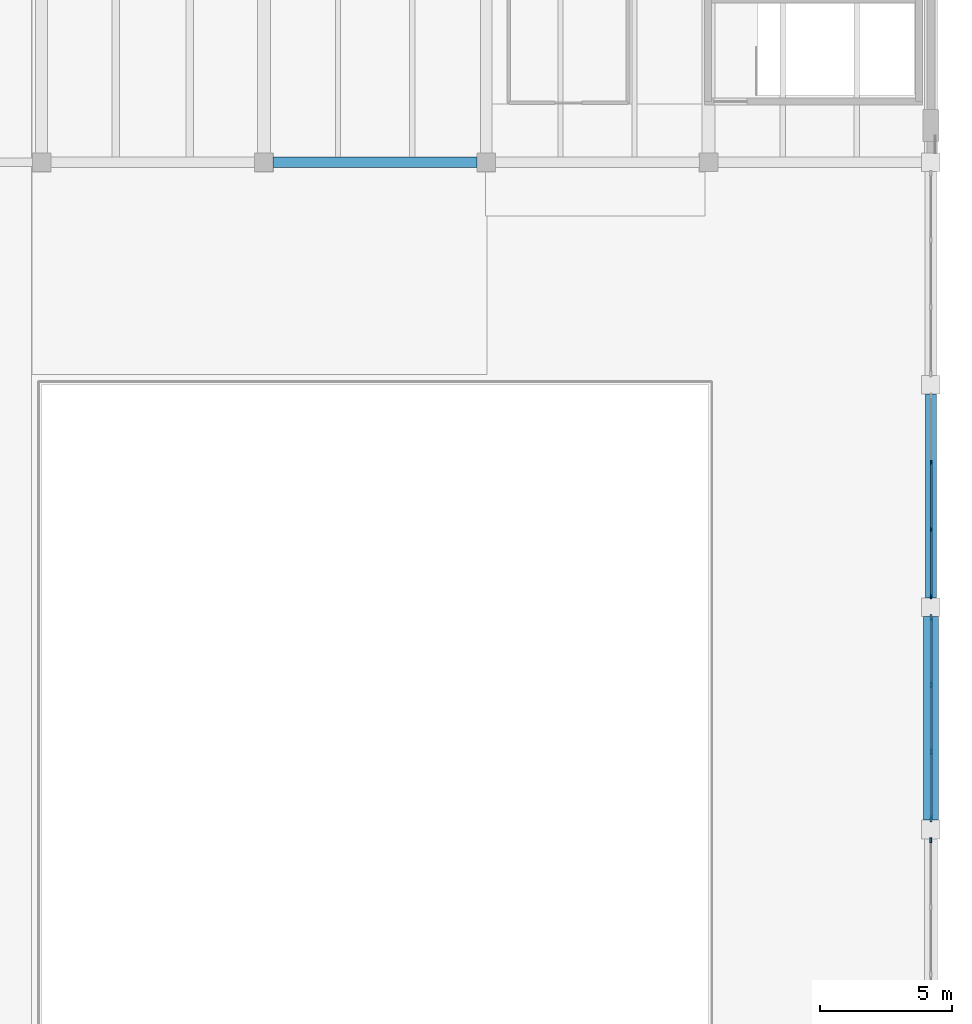
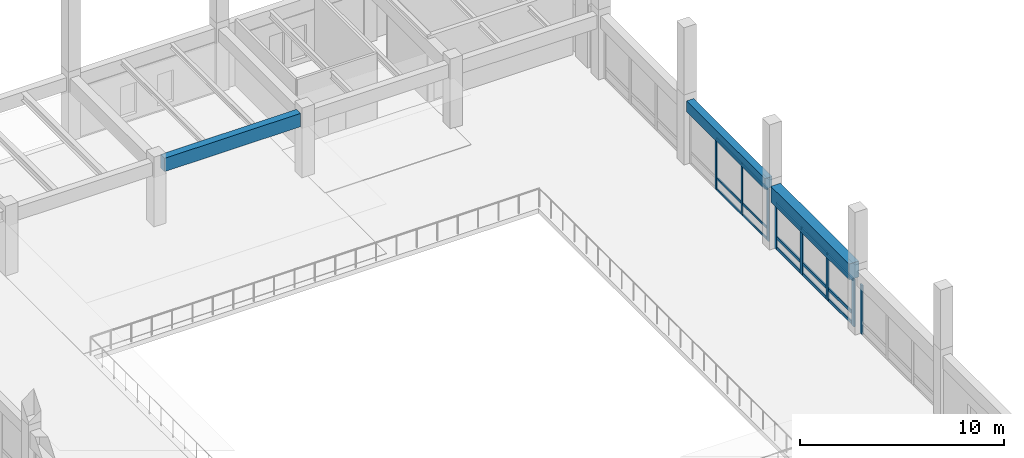
# One storey, part 55 of 132: 23 members, 3 beams, 3 elements without a shape of their own.
"""IFC4 building model written with IfcOpenShell, lengths in metres."""

from ifc_helpers import new_model, si_unit, direction, frame, origin, origin_2d, place, context, subcontext, project, spatial, rectangle, extrude, material, material_profile, profile_set, type_object, element, aggregate, save


model = new_model("IFC4")

# Units and contexts
model_context = context("Model", 3, precision=1e-05, world=origin(), true_north=direction((0.0, 1.0)))
body_context = subcontext(model_context, "Body", "Model", "MODEL_VIEW")
ifc_project = project(units=[si_unit("LENGTHUNIT", "METRE"), si_unit("AREAUNIT", "SQUARE_METRE"), si_unit("VOLUMEUNIT", "CUBIC_METRE"), si_unit("PLANEANGLEUNIT", "RADIAN"), si_unit("MASSUNIT", "GRAM", prefix="KILO")], contexts=[model_context])

# Site, building, storey
site_placement = place(None, origin())
site = spatial("IfcSite", under=ifc_project, at=site_placement, CompositionType="ELEMENT")
building_placement = place(site_placement, origin())
building = spatial("IfcBuilding", under=site, at=building_placement, Name="Cumbredor Promenade Congress Hotel", CompositionType="ELEMENT")
storey_placement = place(building_placement, frame((0.0, 0.0, 7.56005859375)))
storey = spatial("IfcBuildingStorey", under=building, at=storey_placement, Name="L02", CompositionType="ELEMENT", Elevation=7.56005859375)

# Beams
ifc_material_1 = material(Name="Concrete C40/50", Category="concrete")
ifc_material_profile_1 = material_profile(ifc_material_1, rectangle(XDim=0.39990234375, YDim=0.64990234375, at=origin_2d()), Name="RC BEAM 400x650")
ifc_profile_set_1 = profile_set([ifc_material_profile_1], Name="Concrete C40/50")
beam_type_1 = type_object("IfcBeamType", Name="BM-RC-400x650", PredefinedType="BEAM", material=ifc_profile_set_1)
beam_1_placement = place(storey_placement, frame((184.800048828125, 42.35009765625, 3.474853515625), z_axis=(0.0, 1.0, 0.0), x_axis=(-1.0, 0.0, 0.0)))
element("IfcBeam", 1, at=beam_1_placement, inside=storey, type_object=beam_type_1, Name="L03 Y-Grid Beam 256", PredefinedType="BEAM", context=body_context, shape_type="SweptSolid", body=[
    extrude(rectangle(XDim=0.39990234375, YDim=0.64990234375, at=origin_2d()), origin(), (0.0, 0.0, 1.0), 7.699951171875),
])
ifc_material_profile_2 = material_profile(ifc_material_1, rectangle(XDim=0.550048828125, YDim=0.949951171875, at=origin_2d()), Name="RC BEAM 550x950")
ifc_profile_set_2 = profile_set([ifc_material_profile_2], Name="Concrete C40/50")
beam_type_2 = type_object("IfcBeamType", Name="BM-RC-550x950", PredefinedType="BEAM", material=ifc_profile_set_2)
beam_2_placement = place(storey_placement, frame((184.800048828125, 33.949951171875, 3.324951171875), z_axis=(0.0, 1.0, 0.0), x_axis=(-1.0, 0.0, 0.0)))
element("IfcBeam", 2, at=beam_2_placement, inside=storey, type_object=beam_type_2, Name="L03 Y-Grid Beam 255", PredefinedType="BEAM", context=body_context, shape_type="SweptSolid", body=[
    extrude(rectangle(XDim=0.550048828125, YDim=0.949951171875, at=origin_2d()), origin(), (0.0, 0.0, 1.0), 7.699951171875),
])

# Curtain wall, members
ifc_material_2 = material(Name="Thermally broken anodized aluminium and low-E glass", Category="aluminium")
curtain_wall_type = type_object("IfcCurtainWallType", Name="Unitised Bronze Curtain Wall CW-01", PredefinedType="NOTDEFINED", material=ifc_material_2)
curtain_wall_1_placement = place(storey_placement, origin())
curtain_wall_1 = element("IfcCurtainWall", 3, at=curtain_wall_1_placement, inside=storey, type_object=curtain_wall_type, Name="L02 Grand Ballroom Pavilion East Curtain Wall 5", PredefinedType="NOTDEFINED")
ifc_material_3 = material(Name="Thermally broken anodized aluminium", Category="aluminium")
ifc_material_profile_3 = material_profile(ifc_material_3, rectangle(XDim=0.06494140625, YDim=0.159912109375, at=origin_2d()), Name="ALU MULLION 65x160")
ifc_profile_set_3 = profile_set([ifc_material_profile_3], Name="Thermally broken anodized aluminium")
member_type_1 = type_object("IfcMemberType", Name="Curtain Wall Mullion ML-01", PredefinedType="MULLION", material=ifc_profile_set_3)
member_1_placement = place(storey_placement, frame((184.800048828125, 42.405029296875, -0.008056640625), z_axis=(0.0, 0.0, 1.0), x_axis=(1.0, 0.0, 0.0)))
member_1 = element("IfcMember", 4, at=member_1_placement, type_object=member_type_1, Name="L02 Grand Ballroom Pavilion East Curtain Wall 5 Mullion 1", PredefinedType="MULLION", context=body_context, shape_type="SweptSolid", body=[
    extrude(rectangle(XDim=0.06494140625, YDim=0.159912109375, at=origin_2d()), origin(), (0.0, 0.0, 1.0), 3.15087890625),
])
member_2_placement = place(storey_placement, frame((184.800048828125, 44.93505859375, -0.008056640625), z_axis=(0.0, 0.0, 1.0), x_axis=(1.0, 0.0, 0.0)))
member_2 = element("IfcMember", 5, at=member_2_placement, type_object=member_type_1, Name="L02 Grand Ballroom Pavilion East Curtain Wall 5 Mullion 2", PredefinedType="MULLION", context=body_context, shape_type="SweptSolid", body=[
    extrude(rectangle(XDim=0.06494140625, YDim=0.159912109375, at=origin_2d()), origin(), (0.0, 0.0, 1.0), 3.15087890625),
])
member_3_placement = place(storey_placement, frame((184.800048828125, 47.465087890625, -0.008056640625), z_axis=(0.0, 0.0, 1.0), x_axis=(1.0, 0.0, 0.0)))
member_3 = element("IfcMember", 6, at=member_3_placement, type_object=member_type_1, Name="L02 Grand Ballroom Pavilion East Curtain Wall 5 Mullion 3", PredefinedType="MULLION", context=body_context, shape_type="SweptSolid", body=[
    extrude(rectangle(XDim=0.06494140625, YDim=0.159912109375, at=origin_2d()), origin(), (0.0, 0.0, 1.0), 3.15087890625),
])

# Curtain wall, member
curtain_wall_2_placement = place(storey_placement, origin())
curtain_wall_2 = element("IfcCurtainWall", 7, at=curtain_wall_2_placement, inside=storey, type_object=curtain_wall_type, Name="L02 Grand Ballroom Pavilion East Curtain Wall 3", PredefinedType="NOTDEFINED")
ifc_material_profile_4 = material_profile(ifc_material_3, rectangle(XDim=0.074951171875, YDim=0.199951171875, at=origin_2d()), Name="ALU MULLION 75x200")
ifc_profile_set_4 = profile_set([ifc_material_profile_4], Name="Thermally broken anodized aluminium")
member_type_2 = type_object("IfcMemberType", Name="Curtain Wall Mullion ML-02", PredefinedType="MULLION", material=ifc_profile_set_4)
member_4_placement = place(storey_placement, frame((184.800048828125, 33.195068359375, -0.008056640625), z_axis=(0.0, 0.0, 1.0), x_axis=(1.0, 0.0, 0.0)))
member_4 = element("IfcMember", 8, at=member_4_placement, type_object=member_type_2, Name="L02 Grand Ballroom Pavilion East Curtain Wall 3 Mullion 4", PredefinedType="MULLION", context=body_context, shape_type="SweptSolid", body=[
    extrude(rectangle(XDim=0.074951171875, YDim=0.199951171875, at=origin_2d()), origin(), (0.0, 0.0, 1.0), 2.950927734375),
])
aggregate(curtain_wall_2, [member_4])

# Curtain wall, members
curtain_wall_3_placement = place(storey_placement, origin())
curtain_wall_3 = element("IfcCurtainWall", 9, at=curtain_wall_3_placement, inside=storey, type_object=curtain_wall_type, Name="L02 Grand Ballroom Pavilion East Curtain Wall 4", PredefinedType="NOTDEFINED")
ifc_material_profile_5 = material_profile(ifc_material_3, rectangle(XDim=0.080078125, YDim=0.239990234375, at=origin_2d()), Name="ALU MULLION 80x240")
ifc_profile_set_5 = profile_set([ifc_material_profile_5], Name="Thermally broken anodized aluminium")
member_type_3 = type_object("IfcMemberType", Name="Curtain Wall Mullion ML-03", PredefinedType="MULLION", material=ifc_profile_set_5)
member_5_placement = place(storey_placement, frame((184.800048828125, 34.0048828125, -0.008056640625), z_axis=(0.0, 0.0, 1.0), x_axis=(1.0, 0.0, 0.0)))
member_5 = element("IfcMember", 10, at=member_5_placement, type_object=member_type_3, Name="L02 Grand Ballroom Pavilion East Curtain Wall 4 Mullion 1", PredefinedType="MULLION", context=body_context, shape_type="SweptSolid", body=[
    extrude(rectangle(XDim=0.080078125, YDim=0.239990234375, at=origin_2d()), origin(), (0.0, 0.0, 1.0), 2.85107421875),
])
member_6_placement = place(storey_placement, frame((184.800048828125, 36.534912109375, -0.008056640625), z_axis=(0.0, 0.0, 1.0), x_axis=(1.0, 0.0, 0.0)))
member_6 = element("IfcMember", 11, at=member_6_placement, type_object=member_type_3, Name="L02 Grand Ballroom Pavilion East Curtain Wall 4 Mullion 2", PredefinedType="MULLION", context=body_context, shape_type="SweptSolid", body=[
    extrude(rectangle(XDim=0.080078125, YDim=0.239990234375, at=origin_2d()), origin(), (0.0, 0.0, 1.0), 2.85107421875),
])
member_7_placement = place(storey_placement, frame((184.800048828125, 39.06494140625, -0.008056640625), z_axis=(0.0, 0.0, 1.0), x_axis=(1.0, 0.0, 0.0)))
member_7 = element("IfcMember", 12, at=member_7_placement, type_object=member_type_3, Name="L02 Grand Ballroom Pavilion East Curtain Wall 4 Mullion 3", PredefinedType="MULLION", context=body_context, shape_type="SweptSolid", body=[
    extrude(rectangle(XDim=0.080078125, YDim=0.239990234375, at=origin_2d()), origin(), (0.0, 0.0, 1.0), 2.85107421875),
])
member_8_placement = place(storey_placement, frame((184.800048828125, 41.594970703125, -0.008056640625), z_axis=(0.0, 0.0, 1.0), x_axis=(1.0, 0.0, 0.0)))
member_8 = element("IfcMember", 13, at=member_8_placement, type_object=member_type_3, Name="L02 Grand Ballroom Pavilion East Curtain Wall 4 Mullion 4", PredefinedType="MULLION", context=body_context, shape_type="SweptSolid", body=[
    extrude(rectangle(XDim=0.080078125, YDim=0.239990234375, at=origin_2d()), origin(), (0.0, 0.0, 1.0), 2.85107421875),
])

# Member
ifc_material_profile_6 = material_profile(ifc_material_3, rectangle(XDim=0.06494140625, YDim=0.1298828125, at=origin_2d()), Name="ALU TRANSOM 65x130")
ifc_profile_set_6 = profile_set([ifc_material_profile_6], Name="Thermally broken anodized aluminium")
member_type_4 = type_object("IfcMemberType", Name="Curtain Wall Transom TR-01", PredefinedType="USERDEFINED", material=ifc_profile_set_6)
member_9_placement = place(storey_placement, frame((184.800048828125, 42.4375, 0.06005859375), z_axis=(0.0, 1.0, 0.0), x_axis=(-1.0, 0.0, 0.0)))
member_9 = element("IfcMember", 14, at=member_9_placement, type_object=member_type_4, Name="L02 Grand Ballroom Pavilion East Curtain Wall 5 Transom 1.1", ObjectType="TRANSOM", PredefinedType="USERDEFINED", context=body_context, shape_type="SweptSolid", body=[
    extrude(rectangle(XDim=0.06494140625, YDim=0.1298828125, at=origin_2d()), origin(), (0.0, 0.0, 1.0), 2.465087890625),
])

member_10_placement = place(storey_placement, frame((184.800048828125, 42.4375, 0.719970703125), z_axis=(0.0, 1.0, 0.0), x_axis=(-1.0, 0.0, 0.0)))
member_10 = element("IfcMember", 15, at=member_10_placement, type_object=member_type_4, Name="L02 Grand Ballroom Pavilion East Curtain Wall 5 Transom 1.2", ObjectType="TRANSOM", PredefinedType="USERDEFINED", context=body_context, shape_type="SweptSolid", body=[
    extrude(rectangle(XDim=0.06494140625, YDim=0.1298828125, at=origin_2d()), origin(), (0.0, 0.0, 1.0), 2.465087890625),
])

member_11_placement = place(storey_placement, frame((184.800048828125, 42.4375, 3.06982421875), z_axis=(0.0, 1.0, 0.0), x_axis=(-1.0, 0.0, 0.0)))
member_11 = element("IfcMember", 16, at=member_11_placement, type_object=member_type_4, Name="L02 Grand Ballroom Pavilion East Curtain Wall 5 Transom 1.3", ObjectType="TRANSOM", PredefinedType="USERDEFINED", context=body_context, shape_type="SweptSolid", body=[
    extrude(rectangle(XDim=0.06494140625, YDim=0.1298828125, at=origin_2d()), origin(), (0.0, 0.0, 1.0), 2.465087890625),
])

member_12_placement = place(storey_placement, frame((184.800048828125, 44.967529296875, 0.06005859375), z_axis=(0.0, 1.0, 0.0), x_axis=(-1.0, 0.0, 0.0)))
member_12 = element("IfcMember", 17, at=member_12_placement, type_object=member_type_4, Name="L02 Grand Ballroom Pavilion East Curtain Wall 5 Transom 2.1", ObjectType="TRANSOM", PredefinedType="USERDEFINED", context=body_context, shape_type="SweptSolid", body=[
    extrude(rectangle(XDim=0.06494140625, YDim=0.1298828125, at=origin_2d()), origin(), (0.0, 0.0, 1.0), 2.465087890625),
])

member_13_placement = place(storey_placement, frame((184.800048828125, 44.967529296875, 0.719970703125), z_axis=(0.0, 1.0, 0.0), x_axis=(-1.0, 0.0, 0.0)))
member_13 = element("IfcMember", 18, at=member_13_placement, type_object=member_type_4, Name="L02 Grand Ballroom Pavilion East Curtain Wall 5 Transom 2.2", ObjectType="TRANSOM", PredefinedType="USERDEFINED", context=body_context, shape_type="SweptSolid", body=[
    extrude(rectangle(XDim=0.06494140625, YDim=0.1298828125, at=origin_2d()), origin(), (0.0, 0.0, 1.0), 2.465087890625),
])

member_14_placement = place(storey_placement, frame((184.800048828125, 44.967529296875, 3.06982421875), z_axis=(0.0, 1.0, 0.0), x_axis=(-1.0, 0.0, 0.0)))
member_14 = element("IfcMember", 19, at=member_14_placement, type_object=member_type_4, Name="L02 Grand Ballroom Pavilion East Curtain Wall 5 Transom 2.3", ObjectType="TRANSOM", PredefinedType="USERDEFINED", context=body_context, shape_type="SweptSolid", body=[
    extrude(rectangle(XDim=0.06494140625, YDim=0.1298828125, at=origin_2d()), origin(), (0.0, 0.0, 1.0), 2.465087890625),
])

aggregate(curtain_wall_1, [member_1, member_2, member_3, member_9, member_10, member_11, member_12, member_13, member_14])

ifc_material_profile_7 = material_profile(ifc_material_3, rectangle(XDim=0.080078125, YDim=0.179931640625, at=origin_2d()), Name="ALU TRANSOM 80x180")
ifc_profile_set_7 = profile_set([ifc_material_profile_7], Name="Thermally broken anodized aluminium")
member_type_5 = type_object("IfcMemberType", Name="Curtain Wall Transom TR-03", PredefinedType="USERDEFINED", material=ifc_profile_set_7)
member_15_placement = place(storey_placement, frame((184.800048828125, 34.044921875, 0.08984375), z_axis=(0.0, 1.0, 0.0), x_axis=(-1.0, 0.0, 0.0)))
member_15 = element("IfcMember", 20, at=member_15_placement, type_object=member_type_5, Name="L02 Grand Ballroom Pavilion East Curtain Wall 4 Transom 1.1", ObjectType="TRANSOM", PredefinedType="USERDEFINED", context=body_context, shape_type="SweptSolid", body=[
    extrude(rectangle(XDim=0.080078125, YDim=0.179931640625, at=origin_2d()), origin(), (0.0, 0.0, 1.0), 2.4501953125),
])

member_16_placement = place(storey_placement, frame((184.800048828125, 34.044921875, 0.719970703125), z_axis=(0.0, 1.0, 0.0), x_axis=(-1.0, 0.0, 0.0)))
member_16 = element("IfcMember", 21, at=member_16_placement, type_object=member_type_5, Name="L02 Grand Ballroom Pavilion East Curtain Wall 4 Transom 1.2", ObjectType="TRANSOM", PredefinedType="USERDEFINED", context=body_context, shape_type="SweptSolid", body=[
    extrude(rectangle(XDim=0.080078125, YDim=0.179931640625, at=origin_2d()), origin(), (0.0, 0.0, 1.0), 2.4501953125),
])

member_17_placement = place(storey_placement, frame((184.800048828125, 34.044921875, 2.739990234375), z_axis=(0.0, 1.0, 0.0), x_axis=(-1.0, 0.0, 0.0)))
member_17 = element("IfcMember", 22, at=member_17_placement, type_object=member_type_5, Name="L02 Grand Ballroom Pavilion East Curtain Wall 4 Transom 1.3", ObjectType="TRANSOM", PredefinedType="USERDEFINED", context=body_context, shape_type="SweptSolid", body=[
    extrude(rectangle(XDim=0.080078125, YDim=0.179931640625, at=origin_2d()), origin(), (0.0, 0.0, 1.0), 2.4501953125),
])

member_18_placement = place(storey_placement, frame((184.800048828125, 36.574951171875, 0.08984375), z_axis=(0.0, 1.0, 0.0), x_axis=(-1.0, 0.0, 0.0)))
member_18 = element("IfcMember", 23, at=member_18_placement, type_object=member_type_5, Name="L02 Grand Ballroom Pavilion East Curtain Wall 4 Transom 2.1", ObjectType="TRANSOM", PredefinedType="USERDEFINED", context=body_context, shape_type="SweptSolid", body=[
    extrude(rectangle(XDim=0.080078125, YDim=0.179931640625, at=origin_2d()), origin(), (0.0, 0.0, 1.0), 2.449951171875),
])

member_19_placement = place(storey_placement, frame((184.800048828125, 36.574951171875, 0.719970703125), z_axis=(0.0, 1.0, 0.0), x_axis=(-1.0, 0.0, 0.0)))
member_19 = element("IfcMember", 24, at=member_19_placement, type_object=member_type_5, Name="L02 Grand Ballroom Pavilion East Curtain Wall 4 Transom 2.2", ObjectType="TRANSOM", PredefinedType="USERDEFINED", context=body_context, shape_type="SweptSolid", body=[
    extrude(rectangle(XDim=0.080078125, YDim=0.179931640625, at=origin_2d()), origin(), (0.0, 0.0, 1.0), 2.449951171875),
])

member_20_placement = place(storey_placement, frame((184.800048828125, 36.574951171875, 2.739990234375), z_axis=(0.0, 1.0, 0.0), x_axis=(-1.0, 0.0, 0.0)))
member_20 = element("IfcMember", 25, at=member_20_placement, type_object=member_type_5, Name="L02 Grand Ballroom Pavilion East Curtain Wall 4 Transom 2.3", ObjectType="TRANSOM", PredefinedType="USERDEFINED", context=body_context, shape_type="SweptSolid", body=[
    extrude(rectangle(XDim=0.080078125, YDim=0.179931640625, at=origin_2d()), origin(), (0.0, 0.0, 1.0), 2.449951171875),
])

member_21_placement = place(storey_placement, frame((184.800048828125, 39.10498046875, 0.08984375), z_axis=(0.0, 1.0, 0.0), x_axis=(-1.0, 0.0, 0.0)))
member_21 = element("IfcMember", 26, at=member_21_placement, type_object=member_type_5, Name="L02 Grand Ballroom Pavilion East Curtain Wall 4 Transom 3.1", ObjectType="TRANSOM", PredefinedType="USERDEFINED", context=body_context, shape_type="SweptSolid", body=[
    extrude(rectangle(XDim=0.080078125, YDim=0.179931640625, at=origin_2d()), origin(), (0.0, 0.0, 1.0), 2.449951171875),
])

member_22_placement = place(storey_placement, frame((184.800048828125, 39.10498046875, 0.719970703125), z_axis=(0.0, 1.0, 0.0), x_axis=(-1.0, 0.0, 0.0)))
member_22 = element("IfcMember", 27, at=member_22_placement, type_object=member_type_5, Name="L02 Grand Ballroom Pavilion East Curtain Wall 4 Transom 3.2", ObjectType="TRANSOM", PredefinedType="USERDEFINED", context=body_context, shape_type="SweptSolid", body=[
    extrude(rectangle(XDim=0.080078125, YDim=0.179931640625, at=origin_2d()), origin(), (0.0, 0.0, 1.0), 2.449951171875),
])

member_23_placement = place(storey_placement, frame((184.800048828125, 39.10498046875, 2.739990234375), z_axis=(0.0, 1.0, 0.0), x_axis=(-1.0, 0.0, 0.0)))
member_23 = element("IfcMember", 28, at=member_23_placement, type_object=member_type_5, Name="L02 Grand Ballroom Pavilion East Curtain Wall 4 Transom 3.3", ObjectType="TRANSOM", PredefinedType="USERDEFINED", context=body_context, shape_type="SweptSolid", body=[
    extrude(rectangle(XDim=0.080078125, YDim=0.179931640625, at=origin_2d()), origin(), (0.0, 0.0, 1.0), 2.449951171875),
])

aggregate(curtain_wall_3, [member_5, member_6, member_7, member_8, member_15, member_16, member_17, member_18, member_19, member_20, member_21, member_22, member_23])

# Beam
ifc_material_profile_8 = material_profile(ifc_material_1, rectangle(XDim=0.39990234375, YDim=0.800048828125, at=origin_2d()), Name="RC SPANDREL 400x800")
ifc_profile_set_8 = profile_set([ifc_material_profile_8], Name="Concrete C40/50")
beam_type_3 = type_object("IfcBeamType", Name="SP-RC-400x800", PredefinedType="SPANDREL", material=ifc_profile_set_8)
beam_3_placement = place(storey_placement, frame((159.949951171875, 58.800048828125, 3.39990234375), z_axis=(1.0, 0.0, 0.0), x_axis=(0.0, 1.0, 0.0)))
element("IfcBeam", 29, at=beam_3_placement, inside=storey, type_object=beam_type_3, Name="L03 X-Grid Beam 217", PredefinedType="SPANDREL", context=body_context, shape_type="SweptSolid", body=[
    extrude(rectangle(XDim=0.39990234375, YDim=0.800048828125, at=origin_2d()), origin(), (0.0, 0.0, 1.0), 7.699951171875),
])

save(model, "model.ifc")
